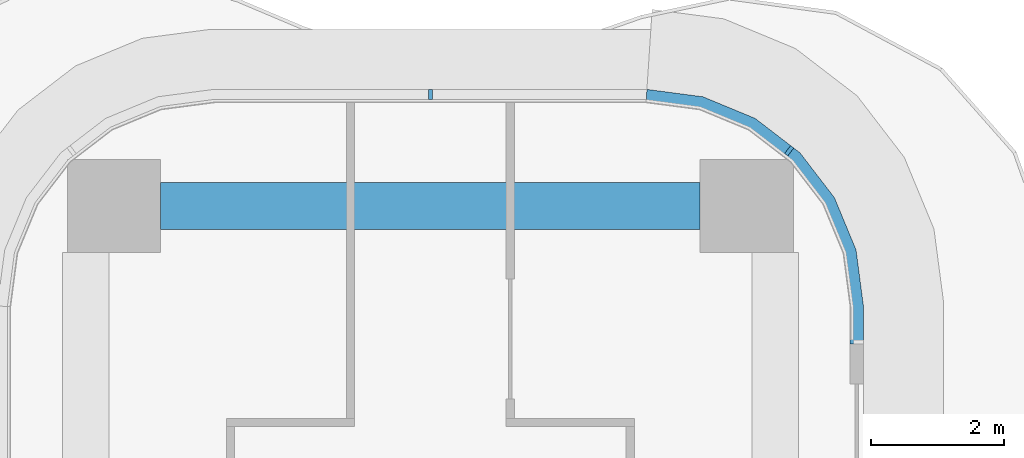
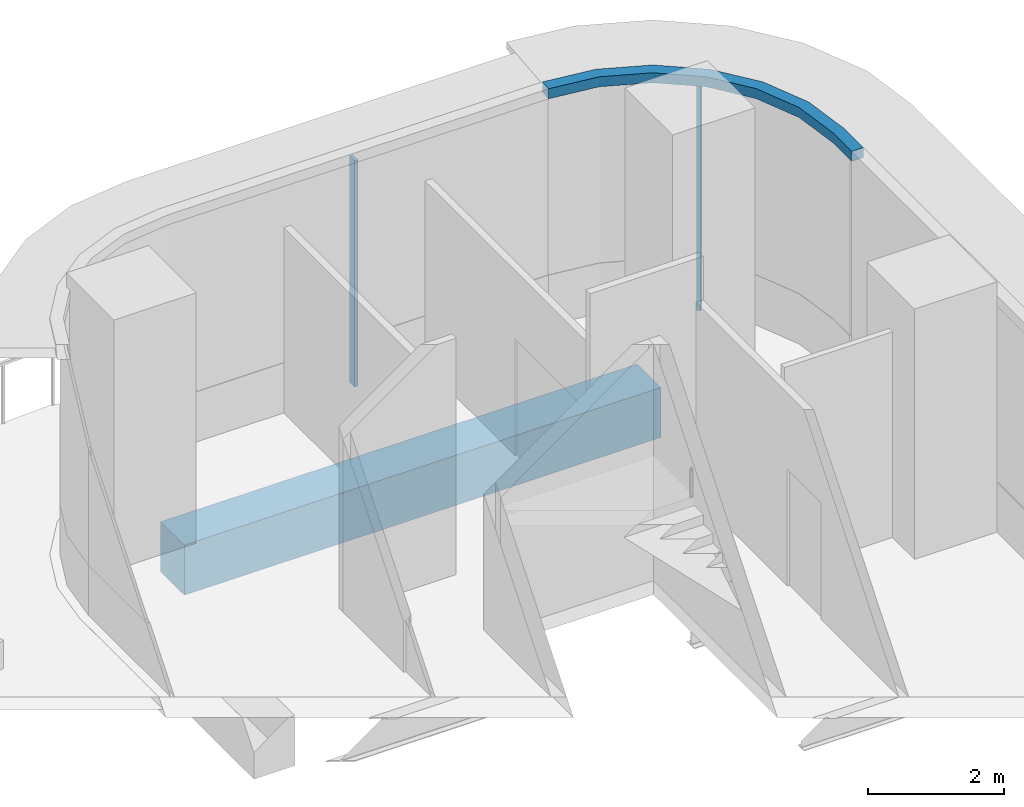
# One storey, part 12 of 23: 3 members, 1 beam, 2 elements without a shape of their own.
"""IFC4 building model written with IfcOpenShell, lengths in metres."""

from ifc_helpers import new_model, si_unit, direction, frame, origin, origin_2d, place, context, subcontext, project, spatial, polyline, rectangle, outline, extrude, source, transform, mapped, material, layer, layer_set, material_profile, profile_set, type_object, element, aggregate, save


model = new_model("IFC4")

# Units and contexts
model_context = context("Model", 3, precision=1e-05, world=origin(), true_north=direction((0.0, 1.0)))
body_context = subcontext(model_context, "Body", "Model", "MODEL_VIEW")
ifc_project = project(units=[si_unit("LENGTHUNIT", "METRE"), si_unit("AREAUNIT", "SQUARE_METRE"), si_unit("VOLUMEUNIT", "CUBIC_METRE"), si_unit("PLANEANGLEUNIT", "RADIAN"), si_unit("MASSUNIT", "GRAM", prefix="KILO")], contexts=[model_context])

# Site, building, storey
site_placement = place(None, origin())
site = spatial("IfcSite", under=ifc_project, at=site_placement, CompositionType="ELEMENT")
building_placement = place(site_placement, origin())
building = spatial("IfcBuilding", under=site, at=building_placement, Name="Trellis Farm Tower", CompositionType="ELEMENT")
storey_placement = place(building_placement, frame((0.0, 0.0, 83.5)))
storey = spatial("IfcBuildingStorey", under=building, at=storey_placement, Name="L17", CompositionType="ELEMENT", Elevation=83.5)

# Beam
ifc_material_1 = material(Name="Concrete C60/75", Category="concrete")
ifc_material_profile_1 = material_profile(ifc_material_1, rectangle(XDim=0.699951171875, YDim=0.89990234375, at=origin_2d()), Name="RC spandrel beam 700x900 C60/75")
ifc_profile_set_1 = profile_set([ifc_material_profile_1], Name="Concrete C60/75")
beam_type = type_object("IfcBeamType", Name="RC spandrel beam 700x900 C60/75", PredefinedType="SPANDREL", material=ifc_profile_set_1)
shared_shape_1 = source(origin(), body_context, "Body", "SweptSolid", [
    extrude(rectangle(XDim=0.699951171875, YDim=0.89990234375, at=origin_2d()), origin(), (0.0, 0.0, 1.0), 8.10009765625),
])
beam_placement = place(storey_placement, frame((-4.050048828125, 24.25, -0.699951171875), z_axis=(1.0, 0.0, 0.0), x_axis=(0.0, 1.0, 0.0)))
element("IfcBeam", 1, at=beam_placement, inside=storey, type_object=beam_type, Name="Girder", PredefinedType="SPANDREL", context=body_context, shape_type="MappedRepresentation", body=[
    mapped(shared_shape_1, transform((0.0, 0.0, 0.0))),
])

# Curtain wall, member
ifc_material_2 = material(Name="Aluminium and glass curtain wall", Category="aluminium")
ifc_layer_1 = layer(ifc_material_2, 0.18994140625)
ifc_layer_set_1 = layer_set([ifc_layer_1], Name="RIBBON CURTAIN WALL CW1")
curtain_wall_type = type_object("IfcCurtainWallType", Name="RIBBON CURTAIN WALL CW1", PredefinedType="NOTDEFINED", material=ifc_layer_set_1)
placement = place(storey_placement, origin())
curtain_wall_1 = element("IfcCurtainWall", 2, at=placement, inside=storey, type_object=curtain_wall_type, Name="CW1 009", PredefinedType="NOTDEFINED")
ifc_material_3 = material(Name="Aluminium extrusion 6063-T6", Category="aluminium")
ifc_material_profile_2 = material_profile(ifc_material_3, rectangle(XDim=0.06005859375, YDim=0.14990234375, at=origin_2d()), Name="MULLION 60x150")
ifc_profile_set_2 = profile_set([ifc_material_profile_2], Name="Aluminium extrusion 6063-T6")
member_type_1 = type_object("IfcMemberType", Name="CW1 MULLION 60x150", PredefinedType="MULLION", material=ifc_profile_set_2)
shared_shape_2 = source(origin(), body_context, "Body", "SweptSolid", [
    extrude(rectangle(XDim=0.06005859375, YDim=0.14990234375, at=origin_2d()), origin(), (0.0, 0.0, 1.0), 4.070068359375),
])
member_1_placement = place(storey_placement, frame((5.385498046875, 25.078369140625, 0.0), z_axis=(0.0, 0.0, 1.0), x_axis=(-0.793353340291, 0.608761429009, 0.0)))
member_1 = element("IfcMember", 3, at=member_1_placement, type_object=member_type_1, Name="MU1 009-02", PredefinedType="MULLION", context=body_context, shape_type="MappedRepresentation", body=[
    mapped(shared_shape_2, transform((0.0, 0.0, 0.0))),
])

curtain_wall_2 = element("IfcCurtainWall", 4, at=placement, inside=storey, type_object=curtain_wall_type, Name="CW1 010", PredefinedType="NOTDEFINED")
member_2_placement = place(storey_placement, frame((0.0, 25.925048828125, 0.0), z_axis=(0.0, 0.0, 1.0), x_axis=(-1.0, 0.0, 0.0)))
member_2 = element("IfcMember", 5, at=member_2_placement, type_object=member_type_1, Name="MU1 010-01", PredefinedType="MULLION", context=body_context, shape_type="MappedRepresentation", body=[
    mapped(shared_shape_2, transform((0.0, 0.0, 0.0))),
])
aggregate(curtain_wall_2, [member_2])

# Member
ifc_layer_2 = layer(ifc_material_3, 0.199951171875)
ifc_layer_set_2 = layer_set([ifc_layer_2], Name="Aluminium extrusion 6063-T6")
member_type_2 = type_object("IfcMemberType", Name="CW1 TRANSOM 200x180", PredefinedType="USERDEFINED", material=ifc_layer_set_2)
shared_shape_3 = source(origin(), body_context, "Body", "SweptSolid", [
    extrude(outline(polyline([(6.5, 22.175048828125), (6.5, 22.75), (6.38916015625, 23.591064453125), (6.064697265625, 24.375), (5.548095703125, 25.048095703125), (4.875, 25.564697265625), (4.091064453125, 25.88916015625), (3.25, 26.0), (3.23681640625, 25.800048828125), (4.0390625, 25.6943359375), (4.774169921875, 25.389892578125), (5.405517578125, 24.905517578125), (5.889892578125, 24.274169921875), (6.1943359375, 23.5390625), (6.300048828125, 22.73681640625), (6.300048828125, 22.175048828125), (6.5, 22.175048828125)])), origin(), (0.0, 0.0, 1.0), 0.179931640625),
])
member_3_placement = place(storey_placement, frame((0.0, 0.0, 4.070068359375)))
member_3 = element("IfcMember", 6, at=member_3_placement, type_object=member_type_2, Name="TR1 009", ObjectType="TRANSOM", PredefinedType="USERDEFINED", context=body_context, shape_type="MappedRepresentation", body=[
    mapped(shared_shape_3, transform((0.0, 0.0, 0.0))),
])

aggregate(curtain_wall_1, [member_1, member_3])

save(model, "model.ifc")
